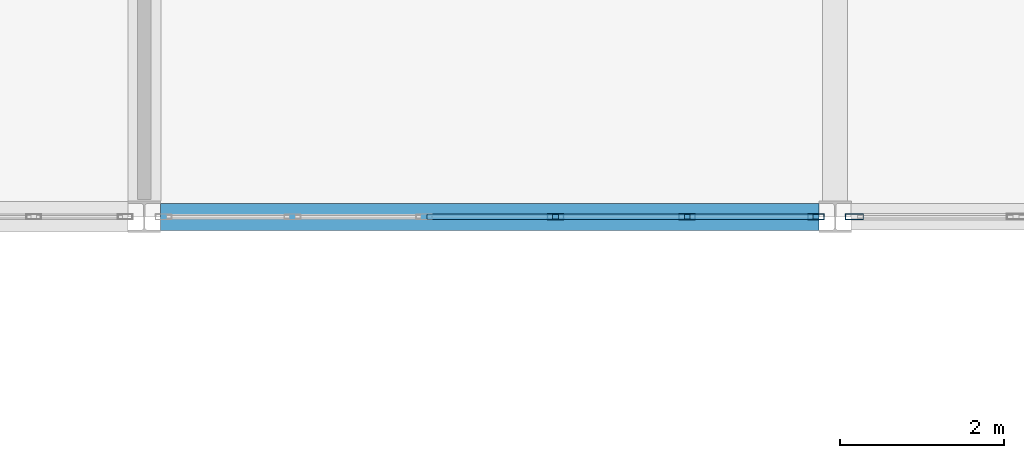
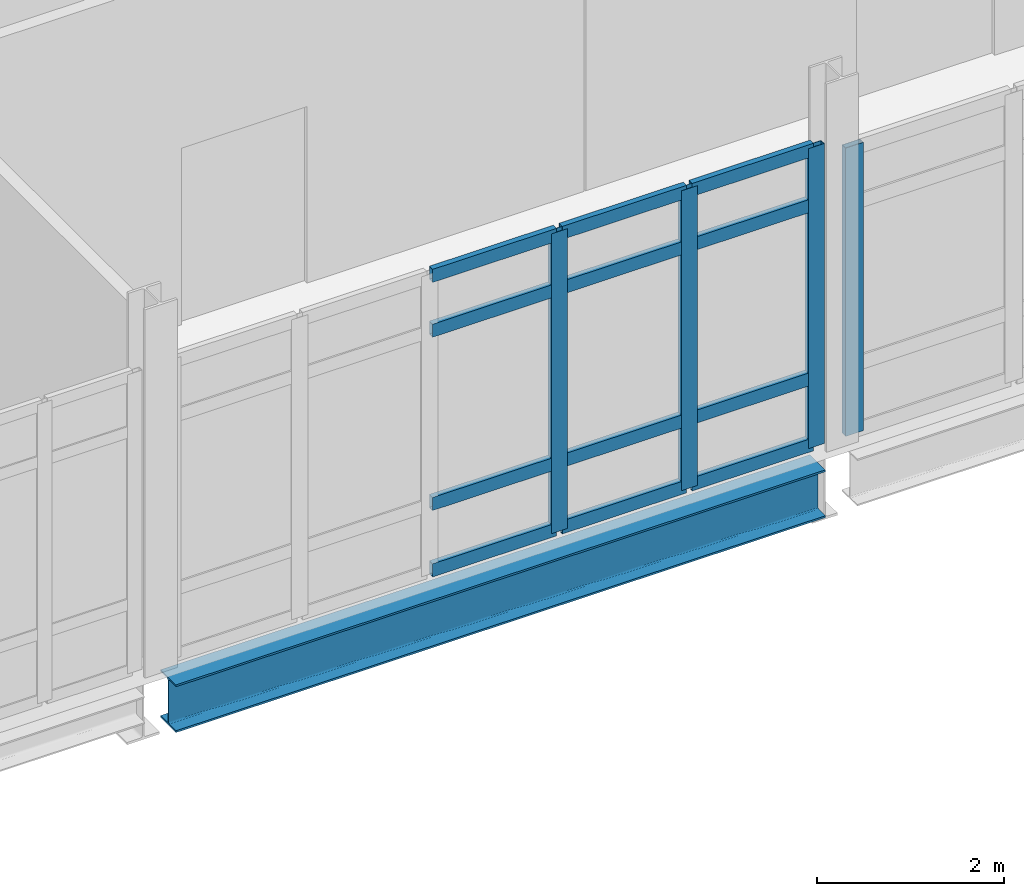
# One storey, part 27 of 186: 16 members, 1 beam, 2 elements without a shape of their own.
"""IFC4 building model written with IfcOpenShell, lengths in metres."""

from ifc_helpers import new_model, si_unit, direction, frame, origin, origin_2d, place, context, subcontext, project, spatial, hollow_rectangle, i_section, extrude, material, layer, layer_set, material_profile, profile_set, type_object, element, aggregate, save


model = new_model("IFC4")

# Units and contexts
model_context = context("Model", 3, precision=1e-05, world=origin(), true_north=direction((0.0, 1.0)))
body_context = subcontext(model_context, "Body", "Model", "MODEL_VIEW")
ifc_project = project(units=[si_unit("LENGTHUNIT", "METRE"), si_unit("AREAUNIT", "SQUARE_METRE"), si_unit("VOLUMEUNIT", "CUBIC_METRE"), si_unit("PLANEANGLEUNIT", "RADIAN"), si_unit("MASSUNIT", "GRAM", prefix="KILO")], contexts=[model_context])

# Site, building, storey
site_placement = place(None, origin())
site = spatial("IfcSite", under=ifc_project, at=site_placement, CompositionType="ELEMENT")
building_placement = place(site_placement, origin())
building = spatial("IfcBuilding", under=site, at=building_placement, Name="Calvrana Isthmian Art Gallery", CompositionType="ELEMENT")
storey_placement = place(building_placement, frame((0.0, 0.0, 5.39990234375)))
storey = spatial("IfcBuildingStorey", under=building, at=storey_placement, Name="L01", CompositionType="ELEMENT", Elevation=5.39990234375)

# Beam
ifc_material_1 = material(Name="Steel ASTM A992 Gr 50", Category="steel")
ifc_material_profile_1 = material_profile(ifc_material_1, i_section(OverallWidth=0.327880859375, OverallDepth=0.6220703125, WebThickness=0.015380859375, FlangeThickness=0.0244140625, FilletRadius=0.02197265625, at=origin_2d()), Name="W24X131")
ifc_profile_set_1 = profile_set([ifc_material_profile_1], Name="Steel ASTM A992 Gr 50")
beam_type = type_object("IfcBeamType", Name="BM-G-W24X131", PredefinedType="BEAM", material=ifc_profile_set_1)
beam_placement = place(storey_placement, frame((55.39794921875, 30.0, -0.555908203125), z_axis=(1.0, 0.0, 0.0), x_axis=(0.0, 1.0, 0.0)))
element("IfcBeam", 1, at=beam_placement, inside=storey, type_object=beam_type, Name="Girder X L01 08-09/E", PredefinedType="BEAM", context=body_context, shape_type="SweptSolid", body=[
    extrude(i_section(OverallWidth=0.327880859375, OverallDepth=0.6220703125, WebThickness=0.015380859375, FlangeThickness=0.0244140625, FilletRadius=0.02197265625, at=origin_2d()), origin(), (0.0, 0.0, 1.0), 8.005126953125),
])

# Curtain wall, members
ifc_material_2 = material(Name="Anodized bronze aluminium 6063-T6", Category="aluminium")
ifc_layer_1 = layer(ifc_material_2, 0.179931640625, Name="Anodized bronze aluminium 6063-T6")
ifc_layer_set_1 = layer_set([ifc_layer_1], Name="Anodized bronze aluminium 6063-T6")
curtain_wall_type_1 = type_object("IfcCurtainWallType", Name="CW-STICK-080X39", PredefinedType="NOTDEFINED", material=ifc_layer_set_1)
curtain_wall_1_placement = place(storey_placement, origin())
curtain_wall_1 = element("IfcCurtainWall", 2, at=curtain_wall_1_placement, inside=storey, type_object=curtain_wall_type_1, Name="Curtain wall CW-093", PredefinedType="NOTDEFINED")
ifc_material_profile_2 = material_profile(ifc_material_2, hollow_rectangle(XDim=0.070068359375, YDim=0.199951171875, WallThickness=0.0048828125, at=origin_2d()), Name="CWM70X200")
ifc_profile_set_2 = profile_set([ifc_material_profile_2], Name="Anodized bronze aluminium 6063-T6")
member_type_1 = type_object("IfcMemberType", Name="CWM-CWM70X200", PredefinedType="MULLION", material=ifc_profile_set_2)
member_1_placement = place(storey_placement, frame((63.366943359375, 30.0, 0.0), z_axis=(0.0, 0.0, 1.0), x_axis=(0.0, -1.0, 0.0)))
member_1 = element("IfcMember", 3, at=member_1_placement, type_object=member_type_1, Name="CW-093 mullion 1", PredefinedType="MULLION", context=body_context, shape_type="SweptSolid", body=[
    extrude(hollow_rectangle(XDim=0.070068359375, YDim=0.199951171875, WallThickness=0.0048828125, at=origin_2d()), origin(), (0.0, 0.0, 1.0), 3.908203125),
])
member_2_placement = place(storey_placement, frame((61.801513671875, 30.0, 0.0), z_axis=(0.0, 0.0, 1.0), x_axis=(0.0, -1.0, 0.0)))
member_2 = element("IfcMember", 4, at=member_2_placement, type_object=member_type_1, Name="CW-093 mullion 2", PredefinedType="MULLION", context=body_context, shape_type="SweptSolid", body=[
    extrude(hollow_rectangle(XDim=0.070068359375, YDim=0.199951171875, WallThickness=0.0048828125, at=origin_2d()), origin(), (0.0, 0.0, 1.0), 3.908203125),
])
member_3_placement = place(storey_placement, frame((60.200927734375, 30.0, 0.0), z_axis=(0.0, 0.0, 1.0), x_axis=(0.0, -1.0, 0.0)))
member_3 = element("IfcMember", 5, at=member_3_placement, type_object=member_type_1, Name="CW-093 mullion 3", PredefinedType="MULLION", context=body_context, shape_type="SweptSolid", body=[
    extrude(hollow_rectangle(XDim=0.070068359375, YDim=0.199951171875, WallThickness=0.0048828125, at=origin_2d()), origin(), (0.0, 0.0, 1.0), 3.908203125),
])

# Curtain wall, member
ifc_layer_2 = layer(ifc_material_2, 0.179931640625, Name="Anodized bronze aluminium 6063-T6")
ifc_layer_set_2 = layer_set([ifc_layer_2], Name="Anodized bronze aluminium 6063-T6")
curtain_wall_type_2 = type_object("IfcCurtainWallType", Name="CW-UNIT-080X38", PredefinedType="USERDEFINED", material=ifc_layer_set_2)
curtain_wall_2_placement = place(storey_placement, origin())
curtain_wall_2 = element("IfcCurtainWall", 6, at=curtain_wall_2_placement, inside=storey, type_object=curtain_wall_type_2, Name="Curtain wall CW-094", ObjectType="UNITISED CURTAIN WALL", PredefinedType="USERDEFINED")
ifc_material_profile_3 = material_profile(ifc_material_2, hollow_rectangle(XDim=0.074951171875, YDim=0.219970703125, WallThickness=0.0048828125, at=origin_2d()), Name="CWM75X220")
ifc_profile_set_3 = profile_set([ifc_material_profile_3], Name="Anodized bronze aluminium 6063-T6")
member_type_2 = type_object("IfcMemberType", Name="CWM-CWM75X220", PredefinedType="MULLION", material=ifc_profile_set_3)
member_4_placement = place(storey_placement, frame((63.83544921875, 30.0, 0.0), z_axis=(0.0, 0.0, 1.0), x_axis=(0.0, -1.0, 0.0)))
member_4 = element("IfcMember", 7, at=member_4_placement, type_object=member_type_2, Name="CW-094 mullion 5", PredefinedType="MULLION", context=body_context, shape_type="SweptSolid", body=[
    extrude(hollow_rectangle(XDim=0.074951171875, YDim=0.219970703125, WallThickness=0.0048828125, at=origin_2d()), origin(), (0.0, 0.0, 1.0), 3.758056640625),
])
aggregate(curtain_wall_2, [member_4])

# Member
ifc_material_profile_4 = material_profile(ifc_material_2, hollow_rectangle(XDim=0.070068359375, YDim=0.169921875, WallThickness=0.00439453125, at=origin_2d()), Name="CWT70X170")
ifc_profile_set_4 = profile_set([ifc_material_profile_4], Name="Anodized bronze aluminium 6063-T6")
member_type_3 = type_object("IfcMemberType", Name="CWT-CWT70X170", PredefinedType="USERDEFINED", material=ifc_profile_set_4)
member_5_placement = place(storey_placement, frame((63.33203125, 30.0, 0.03515625), z_axis=(-1.0, 0.0, 0.0), x_axis=(0.0, -1.0, 0.0)))
member_5 = element("IfcMember", 8, at=member_5_placement, type_object=member_type_3, Name="CW-093 transom 1.1", ObjectType="TRANSOM", PredefinedType="USERDEFINED", context=body_context, shape_type="SweptSolid", body=[
    extrude(hollow_rectangle(XDim=0.070068359375, YDim=0.169921875, WallThickness=0.00439453125, at=origin_2d()), origin(), (0.0, 0.0, 1.0), 1.49560546875),
])

member_6_placement = place(storey_placement, frame((63.33203125, 30.0, 0.900146484375), z_axis=(-1.0, 0.0, 0.0), x_axis=(0.0, -1.0, 0.0)))
member_6 = element("IfcMember", 9, at=member_6_placement, type_object=member_type_3, Name="CW-093 transom 1.2", ObjectType="TRANSOM", PredefinedType="USERDEFINED", context=body_context, shape_type="SweptSolid", body=[
    extrude(hollow_rectangle(XDim=0.070068359375, YDim=0.169921875, WallThickness=0.00439453125, at=origin_2d()), origin(), (0.0, 0.0, 1.0), 1.49560546875),
])

member_7_placement = place(storey_placement, frame((63.33203125, 30.0, 3.158203125), z_axis=(-1.0, 0.0, 0.0), x_axis=(0.0, -1.0, 0.0)))
member_7 = element("IfcMember", 10, at=member_7_placement, type_object=member_type_3, Name="CW-093 transom 1.3", ObjectType="TRANSOM", PredefinedType="USERDEFINED", context=body_context, shape_type="SweptSolid", body=[
    extrude(hollow_rectangle(XDim=0.070068359375, YDim=0.169921875, WallThickness=0.00439453125, at=origin_2d()), origin(), (0.0, 0.0, 1.0), 1.49560546875),
])

member_8_placement = place(storey_placement, frame((63.33203125, 30.0, 3.873046875), z_axis=(-1.0, 0.0, 0.0), x_axis=(0.0, -1.0, 0.0)))
member_8 = element("IfcMember", 11, at=member_8_placement, type_object=member_type_3, Name="CW-093 transom 1.4", ObjectType="TRANSOM", PredefinedType="USERDEFINED", context=body_context, shape_type="SweptSolid", body=[
    extrude(hollow_rectangle(XDim=0.070068359375, YDim=0.169921875, WallThickness=0.00439453125, at=origin_2d()), origin(), (0.0, 0.0, 1.0), 1.49560546875),
])

member_9_placement = place(storey_placement, frame((61.7666015625, 30.0, 0.03515625), z_axis=(-1.0, 0.0, 0.0), x_axis=(0.0, -1.0, 0.0)))
member_9 = element("IfcMember", 12, at=member_9_placement, type_object=member_type_3, Name="CW-093 transom 2.1", ObjectType="TRANSOM", PredefinedType="USERDEFINED", context=body_context, shape_type="SweptSolid", body=[
    extrude(hollow_rectangle(XDim=0.070068359375, YDim=0.169921875, WallThickness=0.00439453125, at=origin_2d()), origin(), (0.0, 0.0, 1.0), 1.530517578125),
])

member_10_placement = place(storey_placement, frame((61.7666015625, 30.0, 0.900146484375), z_axis=(-1.0, 0.0, 0.0), x_axis=(0.0, -1.0, 0.0)))
member_10 = element("IfcMember", 13, at=member_10_placement, type_object=member_type_3, Name="CW-093 transom 2.2", ObjectType="TRANSOM", PredefinedType="USERDEFINED", context=body_context, shape_type="SweptSolid", body=[
    extrude(hollow_rectangle(XDim=0.070068359375, YDim=0.169921875, WallThickness=0.00439453125, at=origin_2d()), origin(), (0.0, 0.0, 1.0), 1.530517578125),
])

member_11_placement = place(storey_placement, frame((61.7666015625, 30.0, 3.158203125), z_axis=(-1.0, 0.0, 0.0), x_axis=(0.0, -1.0, 0.0)))
member_11 = element("IfcMember", 14, at=member_11_placement, type_object=member_type_3, Name="CW-093 transom 2.3", ObjectType="TRANSOM", PredefinedType="USERDEFINED", context=body_context, shape_type="SweptSolid", body=[
    extrude(hollow_rectangle(XDim=0.070068359375, YDim=0.169921875, WallThickness=0.00439453125, at=origin_2d()), origin(), (0.0, 0.0, 1.0), 1.530517578125),
])

member_12_placement = place(storey_placement, frame((61.7666015625, 30.0, 3.873046875), z_axis=(-1.0, 0.0, 0.0), x_axis=(0.0, -1.0, 0.0)))
member_12 = element("IfcMember", 15, at=member_12_placement, type_object=member_type_3, Name="CW-093 transom 2.4", ObjectType="TRANSOM", PredefinedType="USERDEFINED", context=body_context, shape_type="SweptSolid", body=[
    extrude(hollow_rectangle(XDim=0.070068359375, YDim=0.169921875, WallThickness=0.00439453125, at=origin_2d()), origin(), (0.0, 0.0, 1.0), 1.530517578125),
])

member_13_placement = place(storey_placement, frame((60.166015625, 30.0, 0.03515625), z_axis=(-1.0, 0.0, 0.0), x_axis=(0.0, -1.0, 0.0)))
member_13 = element("IfcMember", 16, at=member_13_placement, type_object=member_type_3, Name="CW-093 transom 3.1", ObjectType="TRANSOM", PredefinedType="USERDEFINED", context=body_context, shape_type="SweptSolid", body=[
    extrude(hollow_rectangle(XDim=0.070068359375, YDim=0.169921875, WallThickness=0.00439453125, at=origin_2d()), origin(), (0.0, 0.0, 1.0), 1.530517578125),
])

member_14_placement = place(storey_placement, frame((60.166015625, 30.0, 0.900146484375), z_axis=(-1.0, 0.0, 0.0), x_axis=(0.0, -1.0, 0.0)))
member_14 = element("IfcMember", 17, at=member_14_placement, type_object=member_type_3, Name="CW-093 transom 3.2", ObjectType="TRANSOM", PredefinedType="USERDEFINED", context=body_context, shape_type="SweptSolid", body=[
    extrude(hollow_rectangle(XDim=0.070068359375, YDim=0.169921875, WallThickness=0.00439453125, at=origin_2d()), origin(), (0.0, 0.0, 1.0), 1.530517578125),
])

member_15_placement = place(storey_placement, frame((60.166015625, 30.0, 3.158203125), z_axis=(-1.0, 0.0, 0.0), x_axis=(0.0, -1.0, 0.0)))
member_15 = element("IfcMember", 18, at=member_15_placement, type_object=member_type_3, Name="CW-093 transom 3.3", ObjectType="TRANSOM", PredefinedType="USERDEFINED", context=body_context, shape_type="SweptSolid", body=[
    extrude(hollow_rectangle(XDim=0.070068359375, YDim=0.169921875, WallThickness=0.00439453125, at=origin_2d()), origin(), (0.0, 0.0, 1.0), 1.530517578125),
])

member_16_placement = place(storey_placement, frame((60.166015625, 30.0, 3.873046875), z_axis=(-1.0, 0.0, 0.0), x_axis=(0.0, -1.0, 0.0)))
member_16 = element("IfcMember", 19, at=member_16_placement, type_object=member_type_3, Name="CW-093 transom 3.4", ObjectType="TRANSOM", PredefinedType="USERDEFINED", context=body_context, shape_type="SweptSolid", body=[
    extrude(hollow_rectangle(XDim=0.070068359375, YDim=0.169921875, WallThickness=0.00439453125, at=origin_2d()), origin(), (0.0, 0.0, 1.0), 1.530517578125),
])

aggregate(curtain_wall_1, [member_1, member_2, member_3, member_5, member_6, member_7, member_8, member_9, member_10, member_11, member_12, member_13, member_14, member_15, member_16])

save(model, "model.ifc")
